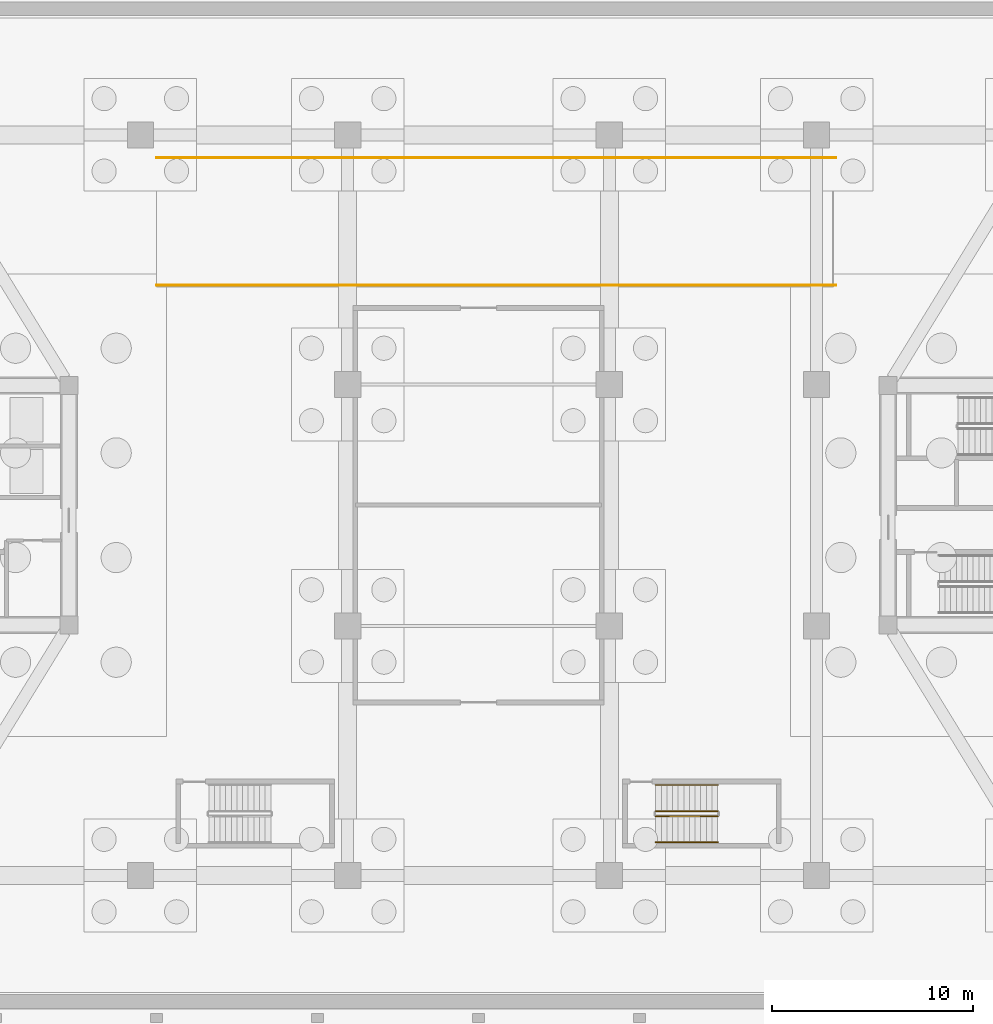
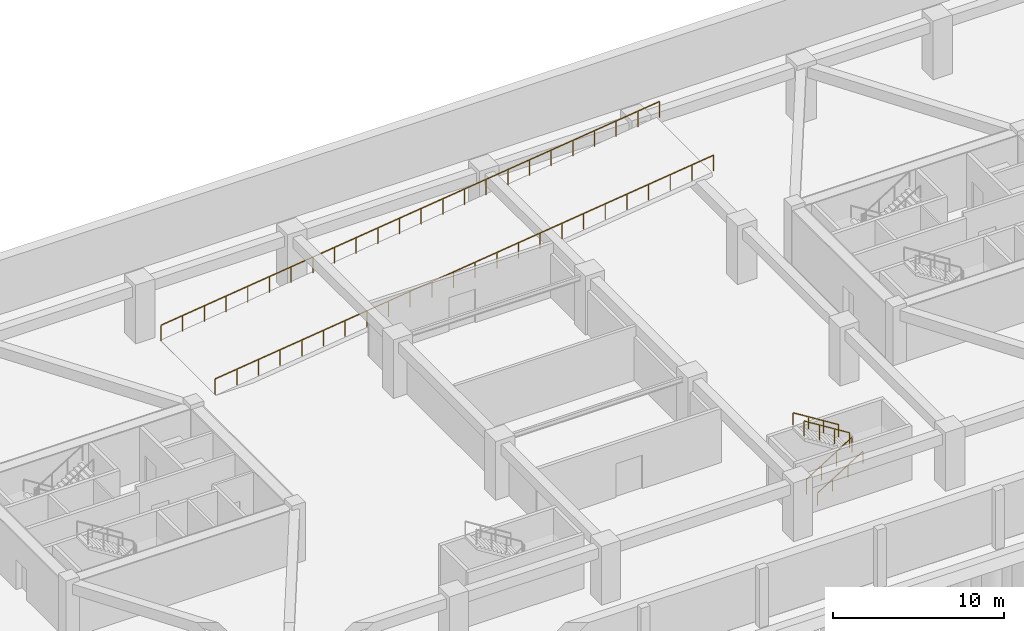
# One storey, part 12 of 14: 6 railings.
"""IFC4 building model written with IfcOpenShell, lengths in metres."""

from ifc_helpers import new_model, si_unit, direction, frame, origin, origin_2d, place, context, subcontext, project, spatial, rectangle, extrude, material, type_object, element, save


model = new_model("IFC4")

# Units and contexts
model_context = context("Model", 3, precision=1e-05, world=origin(), true_north=direction((0.0, 1.0)))
body_context = subcontext(model_context, "Body", "Model", "MODEL_VIEW")
ifc_project = project(units=[si_unit("LENGTHUNIT", "METRE"), si_unit("AREAUNIT", "SQUARE_METRE"), si_unit("VOLUMEUNIT", "CUBIC_METRE"), si_unit("PLANEANGLEUNIT", "RADIAN"), si_unit("MASSUNIT", "GRAM", prefix="KILO")], contexts=[model_context])

# Site, building, storey
site_placement = place(None, origin())
site = spatial("IfcSite", under=ifc_project, at=site_placement, CompositionType="ELEMENT")
building_placement = place(site_placement, origin())
building = spatial("IfcBuilding", under=site, at=building_placement, Name="Norrkilde Senior Care Towers", CompositionType="ELEMENT")
storey_placement = place(building_placement, frame((0.0, 0.0, -8.39990234375)))
storey = spatial("IfcBuildingStorey", under=building, at=storey_placement, Name="B2", CompositionType="ELEMENT", Elevation=-8.39990234375)

# Railings
ifc_material_1 = material(Name="Stainless Steel", Category="steel")
railing_type_1 = type_object("IfcRailingType", Name="Stair and Terrace Guardrail 1100", PredefinedType="GUARDRAIL", material=ifc_material_1)
railing_1_placement = place(storey_placement, frame((-16.0, 10.929931640625, 0.0)))
element("IfcRailing", 1, at=railing_1_placement, inside=storey, type_object=railing_type_1, Name="B2 Vehicle Ramp Side Safety Guard B2-S", PredefinedType="GUARDRAIL", context=body_context, shape_type="SweptSolid", body=[
    extrude(rectangle(XDim=0.048095703125, YDim=0.048095703125, at=origin_2d()), frame((0.0, 0.0, 1.1259765625), z_axis=(0.992345756866, 0.0, 0.123490480725), x_axis=(0.0, 1.0, 0.0)), (0.0, 0.0, 1.0), 34.01025390625),
    extrude(rectangle(XDim=0.0419921875, YDim=0.0419921875, at=origin_2d()), origin(), (0.0, 0.0, 1.0), 1.099853515625),
    extrude(rectangle(XDim=0.0419921875, YDim=0.0419921875, at=origin_2d()), frame((1.46728515625, 0.0, 0.1826171875)), (0.0, 0.0, 1.0), 1.099853515625),
    extrude(rectangle(XDim=0.0419921875, YDim=0.0419921875, at=origin_2d()), frame((2.934814453125, 0.0, 0.365234375)), (0.0, 0.0, 1.0), 1.099853515625),
    extrude(rectangle(XDim=0.0419921875, YDim=0.0419921875, at=origin_2d()), frame((4.402099609375, 0.0, 0.5478515625)), (0.0, 0.0, 1.0), 1.099853515625),
    extrude(rectangle(XDim=0.0419921875, YDim=0.0419921875, at=origin_2d()), frame((5.86962890625, 0.0, 0.73046875)), (0.0, 0.0, 1.0), 1.099853515625),
    extrude(rectangle(XDim=0.0419921875, YDim=0.0419921875, at=origin_2d()), frame((7.3369140625, 0.0, 0.9130859375)), (0.0, 0.0, 1.0), 1.099853515625),
    extrude(rectangle(XDim=0.0419921875, YDim=0.0419921875, at=origin_2d()), frame((8.804443359375, 0.0, 1.095703125)), (0.0, 0.0, 1.0), 1.099853515625),
    extrude(rectangle(XDim=0.0419921875, YDim=0.0419921875, at=origin_2d()), frame((10.271728515625, 0.0, 1.2783203125)), (0.0, 0.0, 1.0), 1.099853515625),
    extrude(rectangle(XDim=0.0419921875, YDim=0.0419921875, at=origin_2d()), frame((11.739013671875, 0.0, 1.4609375)), (0.0, 0.0, 1.0), 1.099853515625),
    extrude(rectangle(XDim=0.0419921875, YDim=0.0419921875, at=origin_2d()), frame((13.20654296875, 0.0, 1.6435546875)), (0.0, 0.0, 1.0), 1.099853515625),
    extrude(rectangle(XDim=0.0419921875, YDim=0.0419921875, at=origin_2d()), frame((14.673828125, 0.0, 1.826171875)), (0.0, 0.0, 1.0), 1.099853515625),
    extrude(rectangle(XDim=0.0419921875, YDim=0.0419921875, at=origin_2d()), frame((16.141357421875, 0.0, 2.0087890625)), (0.0, 0.0, 1.0), 1.099853515625),
    extrude(rectangle(XDim=0.0419921875, YDim=0.0419921875, at=origin_2d()), frame((17.608642578125, 0.0, 2.191162109375)), (0.0, 0.0, 1.0), 1.099853515625),
    extrude(rectangle(XDim=0.0419921875, YDim=0.0419921875, at=origin_2d()), frame((19.076171875, 0.0, 2.373779296875)), (0.0, 0.0, 1.0), 1.099853515625),
    extrude(rectangle(XDim=0.0419921875, YDim=0.0419921875, at=origin_2d()), frame((20.54345703125, 0.0, 2.556396484375)), (0.0, 0.0, 1.0), 1.099853515625),
    extrude(rectangle(XDim=0.0419921875, YDim=0.0419921875, at=origin_2d()), frame((22.010986328125, 0.0, 2.739013671875)), (0.0, 0.0, 1.0), 1.099853515625),
    extrude(rectangle(XDim=0.0419921875, YDim=0.0419921875, at=origin_2d()), frame((23.478271484375, 0.0, 2.921630859375)), (0.0, 0.0, 1.0), 1.099853515625),
    extrude(rectangle(XDim=0.0419921875, YDim=0.0419921875, at=origin_2d()), frame((24.945556640625, 0.0, 3.104248046875)), (0.0, 0.0, 1.0), 1.099853515625),
    extrude(rectangle(XDim=0.0419921875, YDim=0.0419921875, at=origin_2d()), frame((26.4130859375, 0.0, 3.286865234375)), (0.0, 0.0, 1.0), 1.099853515625),
    extrude(rectangle(XDim=0.0419921875, YDim=0.0419921875, at=origin_2d()), frame((27.88037109375, 0.0, 3.469482421875)), (0.0, 0.0, 1.0), 1.099853515625),
    extrude(rectangle(XDim=0.0419921875, YDim=0.0419921875, at=origin_2d()), frame((29.347900390625, 0.0, 3.652099609375)), (0.0, 0.0, 1.0), 1.099853515625),
    extrude(rectangle(XDim=0.0419921875, YDim=0.0419921875, at=origin_2d()), frame((30.815185546875, 0.0, 3.834716796875)), (0.0, 0.0, 1.0), 1.099853515625),
    extrude(rectangle(XDim=0.0419921875, YDim=0.0419921875, at=origin_2d()), frame((32.28271484375, 0.0, 4.017333984375)), (0.0, 0.0, 1.0), 1.099853515625),
    extrude(rectangle(XDim=0.0419921875, YDim=0.0419921875, at=origin_2d()), frame((33.75, 0.0, 4.199951171875)), (0.0, 0.0, 1.0), 1.099853515625),
])
railing_2_placement = place(storey_placement, frame((-16.0, 17.27001953125, 0.0)))
element("IfcRailing", 2, at=railing_2_placement, inside=storey, type_object=railing_type_1, Name="B2 Vehicle Ramp Side Safety Guard B2-N", PredefinedType="GUARDRAIL", context=body_context, shape_type="SweptSolid", body=[
    extrude(rectangle(XDim=0.048095703125, YDim=0.048095703125, at=origin_2d()), frame((0.0, 0.0, 1.1259765625), z_axis=(0.992345756866, 0.0, 0.123490480725), x_axis=(0.0, 1.0, 0.0)), (0.0, 0.0, 1.0), 34.01025390625),
    extrude(rectangle(XDim=0.0419921875, YDim=0.0419921875, at=origin_2d()), origin(), (0.0, 0.0, 1.0), 1.099853515625),
    extrude(rectangle(XDim=0.0419921875, YDim=0.0419921875, at=origin_2d()), frame((1.46728515625, 0.0, 0.1826171875)), (0.0, 0.0, 1.0), 1.099853515625),
    extrude(rectangle(XDim=0.0419921875, YDim=0.0419921875, at=origin_2d()), frame((2.934814453125, 0.0, 0.365234375)), (0.0, 0.0, 1.0), 1.099853515625),
    extrude(rectangle(XDim=0.0419921875, YDim=0.0419921875, at=origin_2d()), frame((4.402099609375, 0.0, 0.5478515625)), (0.0, 0.0, 1.0), 1.099853515625),
    extrude(rectangle(XDim=0.0419921875, YDim=0.0419921875, at=origin_2d()), frame((5.86962890625, 0.0, 0.73046875)), (0.0, 0.0, 1.0), 1.099853515625),
    extrude(rectangle(XDim=0.0419921875, YDim=0.0419921875, at=origin_2d()), frame((7.3369140625, 0.0, 0.9130859375)), (0.0, 0.0, 1.0), 1.099853515625),
    extrude(rectangle(XDim=0.0419921875, YDim=0.0419921875, at=origin_2d()), frame((8.804443359375, 0.0, 1.095703125)), (0.0, 0.0, 1.0), 1.099853515625),
    extrude(rectangle(XDim=0.0419921875, YDim=0.0419921875, at=origin_2d()), frame((10.271728515625, 0.0, 1.2783203125)), (0.0, 0.0, 1.0), 1.099853515625),
    extrude(rectangle(XDim=0.0419921875, YDim=0.0419921875, at=origin_2d()), frame((11.739013671875, 0.0, 1.4609375)), (0.0, 0.0, 1.0), 1.099853515625),
    extrude(rectangle(XDim=0.0419921875, YDim=0.0419921875, at=origin_2d()), frame((13.20654296875, 0.0, 1.6435546875)), (0.0, 0.0, 1.0), 1.099853515625),
    extrude(rectangle(XDim=0.0419921875, YDim=0.0419921875, at=origin_2d()), frame((14.673828125, 0.0, 1.826171875)), (0.0, 0.0, 1.0), 1.099853515625),
    extrude(rectangle(XDim=0.0419921875, YDim=0.0419921875, at=origin_2d()), frame((16.141357421875, 0.0, 2.0087890625)), (0.0, 0.0, 1.0), 1.099853515625),
    extrude(rectangle(XDim=0.0419921875, YDim=0.0419921875, at=origin_2d()), frame((17.608642578125, 0.0, 2.191162109375)), (0.0, 0.0, 1.0), 1.099853515625),
    extrude(rectangle(XDim=0.0419921875, YDim=0.0419921875, at=origin_2d()), frame((19.076171875, 0.0, 2.373779296875)), (0.0, 0.0, 1.0), 1.099853515625),
    extrude(rectangle(XDim=0.0419921875, YDim=0.0419921875, at=origin_2d()), frame((20.54345703125, 0.0, 2.556396484375)), (0.0, 0.0, 1.0), 1.099853515625),
    extrude(rectangle(XDim=0.0419921875, YDim=0.0419921875, at=origin_2d()), frame((22.010986328125, 0.0, 2.739013671875)), (0.0, 0.0, 1.0), 1.099853515625),
    extrude(rectangle(XDim=0.0419921875, YDim=0.0419921875, at=origin_2d()), frame((23.478271484375, 0.0, 2.921630859375)), (0.0, 0.0, 1.0), 1.099853515625),
    extrude(rectangle(XDim=0.0419921875, YDim=0.0419921875, at=origin_2d()), frame((24.945556640625, 0.0, 3.104248046875)), (0.0, 0.0, 1.0), 1.099853515625),
    extrude(rectangle(XDim=0.0419921875, YDim=0.0419921875, at=origin_2d()), frame((26.4130859375, 0.0, 3.286865234375)), (0.0, 0.0, 1.0), 1.099853515625),
    extrude(rectangle(XDim=0.0419921875, YDim=0.0419921875, at=origin_2d()), frame((27.88037109375, 0.0, 3.469482421875)), (0.0, 0.0, 1.0), 1.099853515625),
    extrude(rectangle(XDim=0.0419921875, YDim=0.0419921875, at=origin_2d()), frame((29.347900390625, 0.0, 3.652099609375)), (0.0, 0.0, 1.0), 1.099853515625),
    extrude(rectangle(XDim=0.0419921875, YDim=0.0419921875, at=origin_2d()), frame((30.815185546875, 0.0, 3.834716796875)), (0.0, 0.0, 1.0), 1.099853515625),
    extrude(rectangle(XDim=0.0419921875, YDim=0.0419921875, at=origin_2d()), frame((32.28271484375, 0.0, 4.017333984375)), (0.0, 0.0, 1.0), 1.099853515625),
    extrude(rectangle(XDim=0.0419921875, YDim=0.0419921875, at=origin_2d()), frame((33.75, 0.0, 4.199951171875)), (0.0, 0.0, 1.0), 1.099853515625),
])
railing_3_placement = place(storey_placement, frame((8.800048828125, -15.449951171875, 0.1748046875)))
element("IfcRailing", 3, at=railing_3_placement, inside=storey, type_object=railing_type_1, Name="B2 ST-P2 stair guard 1", PredefinedType="GUARDRAIL", context=body_context, shape_type="SweptSolid", body=[
    extrude(rectangle(XDim=0.048095703125, YDim=0.048095703125, at=origin_2d()), frame((0.0, 0.0, 1.076171875), z_axis=(0.847979421464, 0.0, 0.530029150871), x_axis=(0.0, 1.0, 0.0)), (0.0, 0.0, 1.0), 3.632080078125),
    extrude(rectangle(XDim=0.0419921875, YDim=0.0419921875, at=origin_2d()), origin(), (0.0, 0.0, 1.0), 1.050048828125),
    extrude(rectangle(XDim=0.0419921875, YDim=0.0419921875, at=origin_2d()), frame((1.026611328125, 0.0, 0.6416015625)), (0.0, 0.0, 1.0), 1.050048828125),
    extrude(rectangle(XDim=0.0419921875, YDim=0.0419921875, at=origin_2d()), frame((2.05322265625, 0.0, 1.283447265625)), (0.0, 0.0, 1.0), 1.050048828125),
    extrude(rectangle(XDim=0.0419921875, YDim=0.0419921875, at=origin_2d()), frame((3.079833984375, 0.0, 1.925048828125)), (0.0, 0.0, 1.0), 1.050048828125),
])
railing_4_placement = place(storey_placement, frame((11.8798828125, -15.199951171875, 2.27490234375)))
element("IfcRailing", 4, at=railing_4_placement, inside=storey, type_object=railing_type_1, Name="B2 ST-P2 stair guard 3", PredefinedType="GUARDRAIL", context=body_context, shape_type="SweptSolid", body=[
    extrude(rectangle(XDim=0.048095703125, YDim=0.048095703125, at=origin_2d()), frame((0.0, 0.0, 1.076171875), z_axis=(-0.847979421464, 0.0, 0.530029150871), x_axis=(0.0, -1.0, 0.0)), (0.0, 0.0, 1.0), 3.632080078125),
    extrude(rectangle(XDim=0.0419921875, YDim=0.0419921875, at=origin_2d()), origin(), (0.0, 0.0, 1.0), 1.050048828125),
    extrude(rectangle(XDim=0.0419921875, YDim=0.0419921875, at=origin_2d()), frame((-1.026611328125, 0.0, 0.6416015625)), (0.0, 0.0, 1.0), 1.050048828125),
    extrude(rectangle(XDim=0.0419921875, YDim=0.0419921875, at=origin_2d()), frame((-2.05322265625, 0.0, 1.283447265625)), (0.0, 0.0, 1.0), 1.050048828125),
    extrude(rectangle(XDim=0.0419921875, YDim=0.0419921875, at=origin_2d()), frame((-3.079833984375, 0.0, 1.925048828125)), (0.0, 0.0, 1.0), 1.050048828125),
])
ifc_material_2 = material(Name="Nordic Ash Timber", Category="wood")
railing_type_2 = type_object("IfcRailingType", Name="Wall and Stair Handrail 900", PredefinedType="HANDRAIL", material=ifc_material_2)
railing_5_placement = place(storey_placement, frame((8.800048828125, -16.75, 0.1748046875)))
element("IfcRailing", 5, at=railing_5_placement, inside=storey, type_object=railing_type_2, Name="B2 ST-P2 stair handrail 1", PredefinedType="HANDRAIL", context=body_context, shape_type="SweptSolid", body=[
    extrude(rectangle(XDim=0.048095703125, YDim=0.048095703125, at=origin_2d()), frame((0.0, 0.0, 0.8759765625), z_axis=(0.847979421464, 0.0, 0.530029150871), x_axis=(0.0, 1.0, 0.0)), (0.0, 0.0, 1.0), 3.632080078125),
    extrude(rectangle(XDim=0.0419921875, YDim=0.0419921875, at=origin_2d()), origin(), (0.0, 0.0, 1.0), 0.849853515625),
    extrude(rectangle(XDim=0.0419921875, YDim=0.0419921875, at=origin_2d()), frame((1.026611328125, 0.0, 0.6416015625)), (0.0, 0.0, 1.0), 0.849853515625),
    extrude(rectangle(XDim=0.0419921875, YDim=0.0419921875, at=origin_2d()), frame((2.05322265625, 0.0, 1.283447265625)), (0.0, 0.0, 1.0), 0.849853515625),
    extrude(rectangle(XDim=0.0419921875, YDim=0.0419921875, at=origin_2d()), frame((3.079833984375, 0.0, 1.925048828125)), (0.0, 0.0, 1.0), 0.849853515625),
])
railing_6_placement = place(storey_placement, frame((11.8798828125, -13.89990234375, 2.27490234375)))
element("IfcRailing", 6, at=railing_6_placement, inside=storey, type_object=railing_type_2, Name="B2 ST-P2 stair handrail 2", PredefinedType="HANDRAIL", context=body_context, shape_type="SweptSolid", body=[
    extrude(rectangle(XDim=0.048095703125, YDim=0.048095703125, at=origin_2d()), frame((0.0, 0.0, 0.8759765625), z_axis=(-0.847979421464, 0.0, 0.530029150871), x_axis=(0.0, -1.0, 0.0)), (0.0, 0.0, 1.0), 3.632080078125),
    extrude(rectangle(XDim=0.0419921875, YDim=0.0419921875, at=origin_2d()), origin(), (0.0, 0.0, 1.0), 0.849853515625),
    extrude(rectangle(XDim=0.0419921875, YDim=0.0419921875, at=origin_2d()), frame((-1.026611328125, 0.0, 0.6416015625)), (0.0, 0.0, 1.0), 0.849853515625),
    extrude(rectangle(XDim=0.0419921875, YDim=0.0419921875, at=origin_2d()), frame((-2.05322265625, 0.0, 1.283447265625)), (0.0, 0.0, 1.0), 0.849853515625),
    extrude(rectangle(XDim=0.0419921875, YDim=0.0419921875, at=origin_2d()), frame((-3.079833984375, 0.0, 1.925048828125)), (0.0, 0.0, 1.0), 0.849853515625),
])

save(model, "model.ifc")
